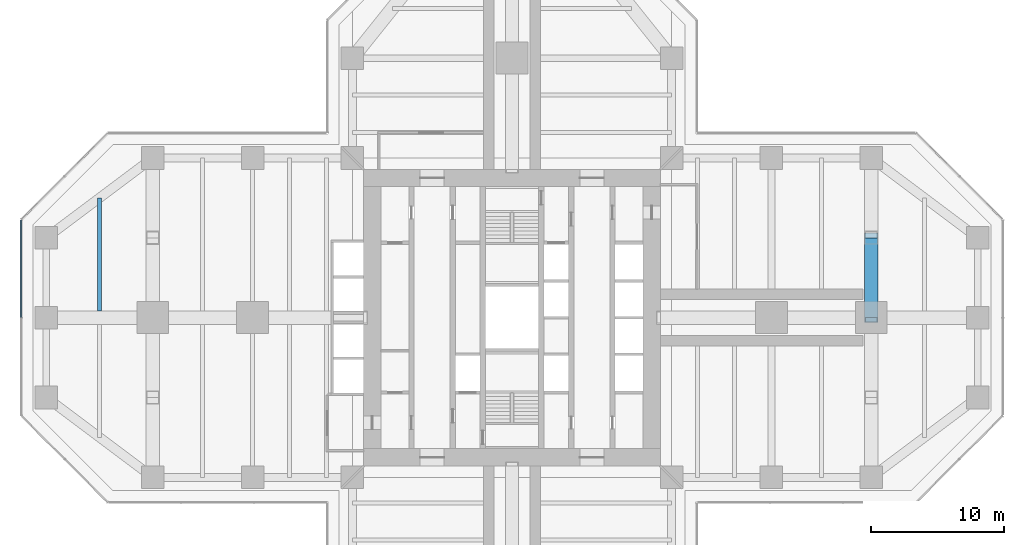
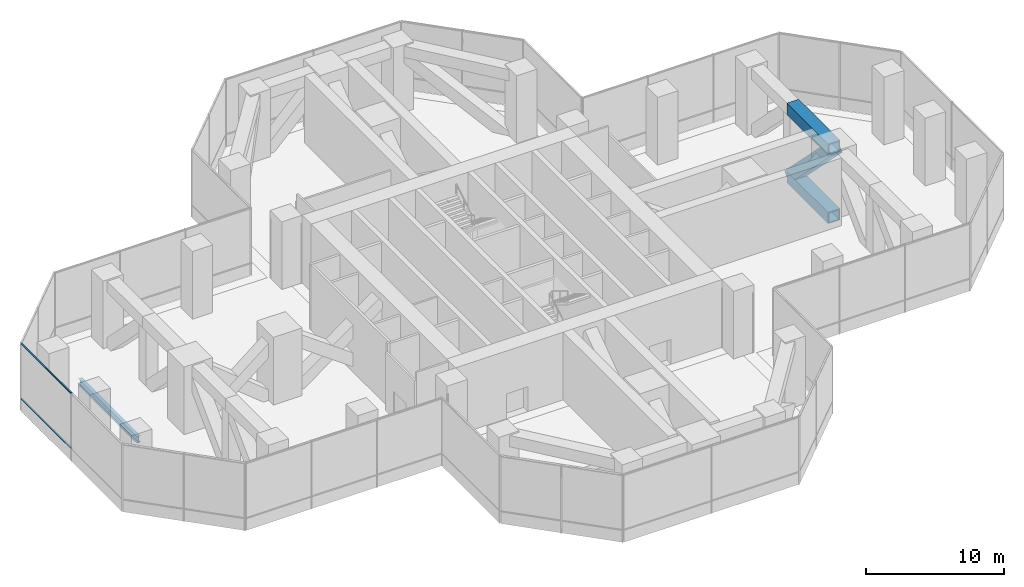
# One storey, part 6 of 19: 5 members, 1 beam, 1 element without a shape of its own.
"""IFC4 building model written with IfcOpenShell, lengths in metres."""

from ifc_helpers import new_model, si_unit, direction, frame, origin, origin_2d, place, context, subcontext, project, spatial, rectangle, hollow_rectangle, i_section, extrude, material, material_profile, profile_set, type_object, element, aggregate, save


model = new_model("IFC4")

# Units and contexts
model_context = context("Model", 3, precision=1e-05, world=origin(), true_north=direction((0.0, 1.0)))
body_context = subcontext(model_context, "Body", "Model", "MODEL_VIEW")
ifc_project = project(units=[si_unit("LENGTHUNIT", "METRE"), si_unit("AREAUNIT", "SQUARE_METRE"), si_unit("VOLUMEUNIT", "CUBIC_METRE"), si_unit("PLANEANGLEUNIT", "RADIAN"), si_unit("MASSUNIT", "GRAM", prefix="KILO")], contexts=[model_context])

# Site, building, storey
site_placement = place(None, origin())
site = spatial("IfcSite", under=ifc_project, at=site_placement, CompositionType="ELEMENT")
building_placement = place(site_placement, origin())
building = spatial("IfcBuilding", under=site, at=building_placement, Name="Mizan Broadcast Tower", CompositionType="ELEMENT")
storey_placement = place(building_placement, frame((0.0, 0.0, 198.89990234375)))
storey = spatial("IfcBuildingStorey", under=building, at=storey_placement, Name="L46", CompositionType="ELEMENT", Elevation=198.89990234375)

# Members
ifc_material_1 = material(Name="Steel S460", Category="steel")
ifc_material_profile_1 = material_profile(ifc_material_1, hollow_rectangle(XDim=1.0, YDim=1.0, WallThickness=0.080078125, at=origin_2d()), Name="BOX 1000x1000x80")
ifc_profile_set_1 = profile_set([ifc_material_profile_1], Name="Steel S460")
member_type_1 = type_object("IfcMemberType", Name="BELT TRUSS BT3 CHORD BOX 1000x1000x80", PredefinedType="CHORD", material=ifc_profile_set_1)
for number, where, z_axis, x_axis, name in (
    (1, (27.0, 0.0, -0.679931640625), (0.0, 1.0, 0.0), (-1.0, 0.0, 0.0), "Belt truss BT3-E27 bottom chord 3"),
    (2, (27.0, 0.0, 5.3701171875), (0.0, 1.0, 0.0), (-1.0, 0.0, 0.0), "Belt truss BT3-E27 top chord 3"),
):
    element("IfcMember", number, at=place(storey_placement, frame(where, z_axis=z_axis, x_axis=x_axis)), inside=storey, type_object=member_type_1, Name=name, PredefinedType="CHORD", context=body_context, shape_type="SweptSolid", body=[
        extrude(hollow_rectangle(XDim=1.0, YDim=1.0, WallThickness=0.080078125, at=origin_2d()), origin(), (0.0, 0.0, 1.0), 6.0),
    ])
ifc_material_2 = material(Name="Steel S460", Category="steel")
ifc_material_profile_2 = material_profile(ifc_material_2, hollow_rectangle(XDim=1.0, YDim=1.0, WallThickness=0.06005859375, at=origin_2d()), Name="BOX 1000x1000x60")
ifc_profile_set_2 = profile_set([ifc_material_profile_2], Name="Steel S460")
member_type_2 = type_object("IfcMemberType", Name="BELT TRUSS BT3 DIAGONAL BOX 1000x1000x60", PredefinedType="BRACE", material=ifc_profile_set_2)
member_1_placement = place(storey_placement, frame((27.0, 6.0, -0.679931640625), z_axis=(0.0, -0.704163801085, 0.710037563261), x_axis=(1.0, 0.0, 0.0)))
element("IfcMember", 3, at=member_1_placement, inside=storey, type_object=member_type_2, Name="Belt truss BT3-E27 diagonal 3", PredefinedType="BRACE", context=body_context, shape_type="SweptSolid", body=[
    extrude(hollow_rectangle(XDim=1.0, YDim=1.0, WallThickness=0.06005859375, at=origin_2d()), origin(), (0.0, 0.0, 1.0), 8.520751953125),
])

# Curtain wall, members
ifc_material_3 = material(Name="Aluminium framed glazing", Category="aluminium")
curtain_wall_type = type_object("IfcCurtainWallType", Name="PLANT LOUVRE", PredefinedType="USERDEFINED", material=ifc_material_3)
curtain_wall_placement = place(storey_placement, origin())
curtain_wall = element("IfcCurtainWall", 4, at=curtain_wall_placement, inside=storey, type_object=curtain_wall_type, Name="Plant louvre L46 W end", ObjectType="PLANT LOUVRE", PredefinedType="USERDEFINED")
ifc_material_4 = material(Name="Aluminium, pale anodised", Category="aluminium")
ifc_material_profile_3 = material_profile(ifc_material_4, rectangle(XDim=0.1201171875, YDim=0.06005859375, at=origin_2d()), Name="TRANSOM 120x60")
ifc_profile_set_3 = profile_set([ifc_material_profile_3], Name="Aluminium, pale anodised")
member_type_3 = type_object("IfcMemberType", Name="INNER SKIN TRANSOM 60x120", PredefinedType="USERDEFINED", material=ifc_profile_set_3)
member_2_placement = place(storey_placement, frame((-36.89990234375, 7.312744140625, 1.10009765625), z_axis=(0.0, -1.0, 0.0), x_axis=(1.0, 0.0, 0.0)))
member_2 = element("IfcMember", 5, at=member_2_placement, type_object=member_type_3, Name="Plant louvre L46 W end transom 1.1", ObjectType="TRANSOM", PredefinedType="USERDEFINED", context=body_context, shape_type="SweptSolid", body=[
    extrude(rectangle(XDim=0.1201171875, YDim=0.06005859375, at=origin_2d()), origin(), (0.0, 0.0, 1.0), 7.28271484375),
])
member_3_placement = place(storey_placement, frame((-36.89990234375, 7.312744140625, 5.97021484375), z_axis=(0.0, -1.0, 0.0), x_axis=(1.0, 0.0, 0.0)))
member_3 = element("IfcMember", 6, at=member_3_placement, type_object=member_type_3, Name="Plant louvre L46 W end transom 1.2", ObjectType="TRANSOM", PredefinedType="USERDEFINED", context=body_context, shape_type="SweptSolid", body=[
    extrude(rectangle(XDim=0.1201171875, YDim=0.06005859375, at=origin_2d()), origin(), (0.0, 0.0, 1.0), 7.28271484375),
])
aggregate(curtain_wall, [member_2, member_3])

# Beam
ifc_material_5 = material(Name="Steel S355", Category="steel")
ifc_material_profile_4 = material_profile(ifc_material_5, i_section(OverallWidth=0.300048828125, OverallDepth=0.590087890625, WebThickness=0.012939453125, FlangeThickness=0.02490234375, FilletRadius=0.027099609375, at=origin_2d()), Name="HEA 600")
ifc_profile_set_4 = profile_set([ifc_material_profile_4], Name="Steel S355")
beam_type = type_object("IfcBeamType", Name="SECONDARY BEAM HEA 600", PredefinedType="JOIST", material=ifc_profile_set_4)
beam_placement = place(storey_placement, frame((-31.0, 9.0, -0.474853515625), z_axis=(0.0, -1.0, 0.0), x_axis=(1.0, 0.0, 0.0)))
element("IfcBeam", 7, at=beam_placement, inside=storey, type_object=beam_type, Name="Secondary beam HEA 600 L46 west arm", PredefinedType="JOIST", context=body_context, shape_type="SweptSolid", body=[
    extrude(i_section(OverallWidth=0.300048828125, OverallDepth=0.590087890625, WebThickness=0.012939453125, FlangeThickness=0.02490234375, FilletRadius=0.027099609375, at=origin_2d()), origin(), (0.0, 0.0, 1.0), 8.5),
])

save(model, "model.ifc")
